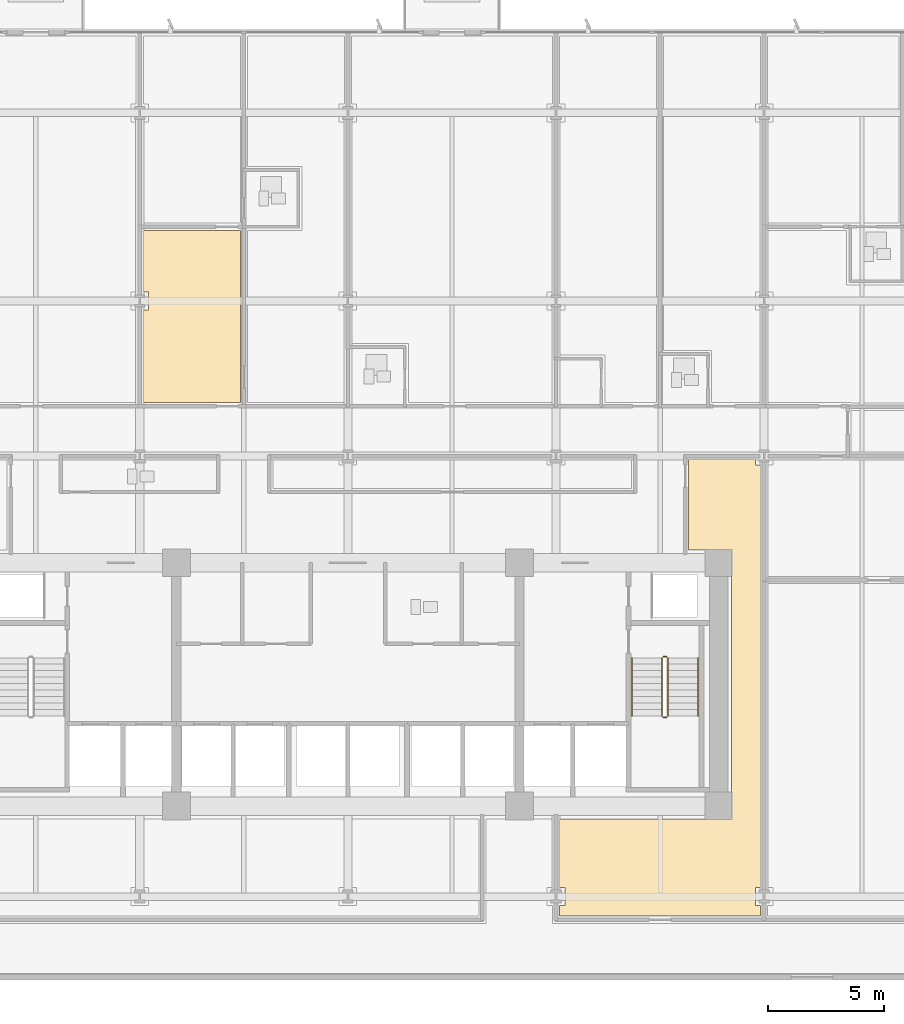
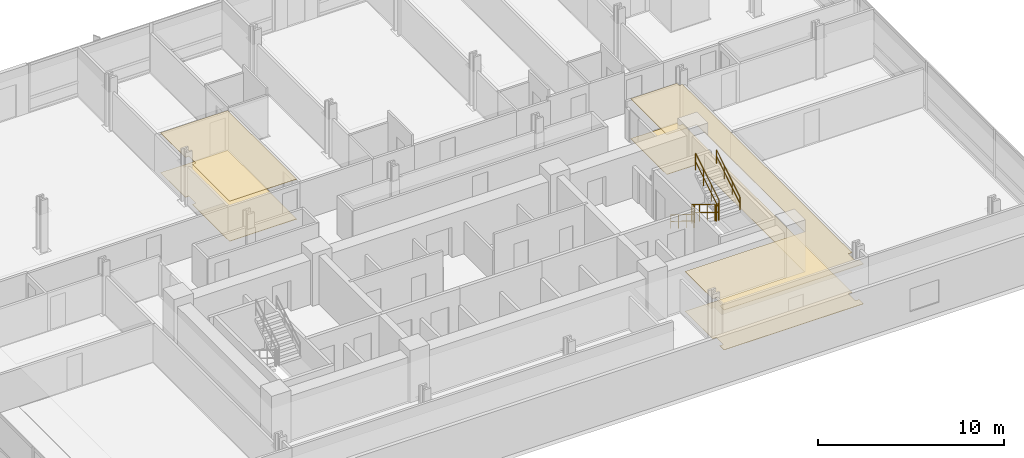
# One storey, part 14 of 17: 6 railings, 4 coverings.
"""IFC4 building model written with IfcOpenShell, lengths in metres."""

from ifc_helpers import new_model, si_unit, direction, frame, origin, origin_2d, place, context, subcontext, project, spatial, polyline, circle, outline, extrude, material, layer, layer_set, type_object, element, save


model = new_model("IFC4")

# Units and contexts
model_context = context("Model", 3, precision=1e-05, world=origin(), true_north=direction((0.0, 1.0)))
body_context = subcontext(model_context, "Body", "Model", "MODEL_VIEW")
ifc_project = project(units=[si_unit("LENGTHUNIT", "METRE"), si_unit("AREAUNIT", "SQUARE_METRE"), si_unit("VOLUMEUNIT", "CUBIC_METRE"), si_unit("PLANEANGLEUNIT", "RADIAN"), si_unit("MASSUNIT", "GRAM", prefix="KILO")], contexts=[model_context])

# Site, building, storey
site_placement = place(None, origin())
site = spatial("IfcSite", under=ifc_project, at=site_placement, CompositionType="ELEMENT")
building_placement = place(site_placement, origin())
building = spatial("IfcBuilding", under=site, at=building_placement, Name="Solmavex Isthmus Hotel", CompositionType="ELEMENT")
storey_placement = place(building_placement, frame((0.0, 0.0, 47.10009765625)))
storey = spatial("IfcBuildingStorey", under=building, at=storey_placement, Name="L12", CompositionType="ELEMENT", Elevation=47.10009765625)

# Coverings
ifc_material_1 = material(Name="Gypsum plasterboard lining", Category="gypsum")
ifc_layer_1 = layer(ifc_material_1, 0.030029296875)
ifc_layer_set_1 = layer_set([ifc_layer_1], Name="Gypsum plasterboard lining")
covering_type_1 = type_object("IfcCoveringType", Name="COV-CEIL-GYP", PredefinedType="CEILING", material=ifc_layer_set_1)
covering_1_placement = place(storey_placement, frame((0.0, 0.0, 2.619873046875)))
element("IfcCovering", 1, at=covering_1_placement, inside=storey, type_object=covering_type_1, Name="Suspended Acoustic Ceiling L12-SL02-FY", PredefinedType="CEILING", context=body_context, shape_type="SweptSolid", body=[
    extrude(outline(polyline([(-8.821044921875, 9.16796875), (-8.595947265625, 9.16796875), (-8.595947265625, 8.407958984375), (-8.821044921875, 8.407958984375), (-8.821044921875, 4.405029296875), (-4.64306640625, 4.405029296875), (-4.64306640625, 11.8330078125), (-8.821044921875, 11.8330078125), (-8.821044921875, 9.16796875)])), origin(), (0.0, 0.0, 1.0), 0.030029296875),
])
covering_2_placement = place(storey_placement, frame((0.0, 0.0, 2.619873046875)))
element("IfcCovering", 2, at=covering_2_placement, inside=storey, type_object=covering_type_1, Name="Suspended Acoustic Ceiling L12-FL13", PredefinedType="CEILING", context=body_context, shape_type="SweptSolid", body=[
    extrude(outline(polyline([(17.797119140625, 1.719970703125), (17.572021484375, 1.719970703125), (17.572021484375, 1.945068359375), (14.698974609375, 1.945068359375), (14.698974609375, -1.945068359375), (16.554931640625, -1.945068359375), (16.554931640625, -13.554931640625), (9.131103515625, -13.554931640625), (9.131103515625, -16.52001953125), (9.35595703125, -16.52001953125), (9.35595703125, -17.280029296875), (9.131103515625, -17.280029296875), (9.131103515625, -17.7451171875), (17.797119140625, -17.7451171875), (17.797119140625, -17.280029296875), (17.572021484375, -17.280029296875), (17.572021484375, -16.52001953125), (17.797119140625, -16.52001953125), (17.797119140625, 1.719970703125)])), origin(), (0.0, 0.0, 1.0), 0.030029296875),
])
ifc_material_2 = material(Name="Travertine natural stone", Category="masonry")
ifc_layer_2 = layer(ifc_material_2, 0.02490234375)
ifc_layer_set_2 = layer_set([ifc_layer_2], Name="Travertine natural stone")
covering_type_2 = type_object("IfcCoveringType", Name="COV-FLOR-STN", PredefinedType="FLOORING", material=ifc_layer_set_2)
covering_3_placement = place(storey_placement, origin())
element("IfcCovering", 3, at=covering_3_placement, inside=storey, type_object=covering_type_2, Name="Stone and Timber Floor Finish L12-SL02-FY", PredefinedType="FLOORING", context=body_context, shape_type="SweptSolid", body=[
    extrude(outline(polyline([(-8.821044921875, 9.16796875), (-8.595947265625, 9.16796875), (-8.595947265625, 8.407958984375), (-8.821044921875, 8.407958984375), (-8.821044921875, 4.405029296875), (-4.64306640625, 4.405029296875), (-4.64306640625, 11.8330078125), (-8.821044921875, 11.8330078125), (-8.821044921875, 9.16796875)])), origin(), (0.0, 0.0, 1.0), 0.02490234375),
])
covering_4_placement = place(storey_placement, origin())
element("IfcCovering", 4, at=covering_4_placement, inside=storey, type_object=covering_type_2, Name="Stone and Timber Floor Finish L12-FL13", PredefinedType="FLOORING", context=body_context, shape_type="SweptSolid", body=[
    extrude(outline(polyline([(17.797119140625, 1.719970703125), (17.572021484375, 1.719970703125), (17.572021484375, 1.945068359375), (14.698974609375, 1.945068359375), (14.698974609375, -1.945068359375), (16.554931640625, -1.945068359375), (16.554931640625, -13.554931640625), (9.131103515625, -13.554931640625), (9.131103515625, -16.52001953125), (9.35595703125, -16.52001953125), (9.35595703125, -17.280029296875), (9.131103515625, -17.280029296875), (9.131103515625, -17.7451171875), (17.797119140625, -17.7451171875), (17.797119140625, -17.280029296875), (17.572021484375, -17.280029296875), (17.572021484375, -16.52001953125), (17.797119140625, -16.52001953125), (17.797119140625, 1.719970703125)])), origin(), (0.0, 0.0, 1.0), 0.02490234375),
])

# Railings
ifc_material_3 = material(Name="Stainless steel 316", Category="steel")
ifc_layer_3 = layer(ifc_material_3, 0.06005859375)
ifc_layer_set_3 = layer_set([ifc_layer_3], Name="Stainless steel 316")
railing_type_1 = type_object("IfcRailingType", Name="RAIL-STAIR-GD", PredefinedType="GUARDRAIL", material=ifc_layer_set_3)
railing_1_placement = place(storey_placement, frame((13.550048828125, -6.60009765625, 0.17236328125)))
element("IfcRailing", 5, at=railing_1_placement, inside=storey, type_object=railing_type_1, Name="L12 ST-2 stair guard 1", PredefinedType="GUARDRAIL", context=body_context, shape_type="SweptSolid", body=[
    extrude(circle(Radius=0.02392578125, at=origin_2d()), frame((0.0, 0.0, 1.09619140625), z_axis=(0.0, -0.851400495292, 0.524516154772), x_axis=(1.0, 0.0, 0.0)), (0.0, 0.0, 1.0), 2.9599609375),
    extrude(circle(Radius=0.02392578125, at=origin_2d()), frame((0.0, 0.0, 0.56005859375), z_axis=(0.0, -0.851400495292, 0.524516154772), x_axis=(1.0, 0.0, 0.0)), (0.0, 0.0, 1.0), 2.9599609375),
    extrude(circle(Radius=0.02099609375, at=origin_2d()), origin(), (0.0, 0.0, 1.0), 1.072021484375),
    extrude(circle(Radius=0.02099609375, at=origin_2d()), frame((0.0, -0.840087890625, 0.517578125)), (0.0, 0.0, 1.0), 1.072021484375),
    extrude(circle(Radius=0.02099609375, at=origin_2d()), frame((0.0, -1.679931640625, 1.034912109375)), (0.0, 0.0, 1.0), 1.072021484375),
    extrude(circle(Radius=0.02099609375, at=origin_2d()), frame((0.0, -2.52001953125, 1.552490234375)), (0.0, 0.0, 1.0), 1.072021484375),
])
railing_2_placement = place(storey_placement, frame((13.60009765625, -9.169921875, 1.724853515625)))
element("IfcRailing", 6, at=railing_2_placement, inside=storey, type_object=railing_type_1, Name="L12 ST-2 stair guard 2", PredefinedType="GUARDRAIL", context=body_context, shape_type="SweptSolid", body=[
    extrude(circle(Radius=0.02392578125, at=origin_2d()), frame((0.0, 0.0, 1.09619140625), z_axis=(1.0, 0.0, 0.0), x_axis=(0.0, 1.0, 0.0)), (0.0, 0.0, 1.0), 0.14990234375),
    extrude(circle(Radius=0.02392578125, at=origin_2d()), frame((0.0, 0.0, 0.56005859375), z_axis=(1.0, 0.0, 0.0), x_axis=(0.0, 1.0, 0.0)), (0.0, 0.0, 1.0), 0.14990234375),
    extrude(circle(Radius=0.02099609375, at=origin_2d()), origin(), (0.0, 0.0, 1.0), 1.072021484375),
    extrude(circle(Radius=0.02099609375, at=origin_2d()), frame((0.14990234375, 0.0, 0.0)), (0.0, 0.0, 1.0), 1.072021484375),
])
railing_3_placement = place(storey_placement, frame((13.800048828125, -9.1201171875, 1.8974609375)))
element("IfcRailing", 7, at=railing_3_placement, inside=storey, type_object=railing_type_1, Name="L12 ST-2 stair guard 3", PredefinedType="GUARDRAIL", context=body_context, shape_type="SweptSolid", body=[
    extrude(circle(Radius=0.02392578125, at=origin_2d()), frame((0.0, 0.0, 1.09619140625), z_axis=(0.0, 0.851400495292, 0.524516154772), x_axis=(-1.0, 0.0, 0.0)), (0.0, 0.0, 1.0), 2.9599609375),
    extrude(circle(Radius=0.02392578125, at=origin_2d()), frame((0.0, 0.0, 0.56005859375), z_axis=(0.0, 0.851400495292, 0.524516154772), x_axis=(-1.0, 0.0, 0.0)), (0.0, 0.0, 1.0), 2.9599609375),
    extrude(circle(Radius=0.02099609375, at=origin_2d()), origin(), (0.0, 0.0, 1.0), 1.072021484375),
    extrude(circle(Radius=0.02099609375, at=origin_2d()), frame((0.0, 0.840087890625, 0.517578125)), (0.0, 0.0, 1.0), 1.072021484375),
    extrude(circle(Radius=0.02099609375, at=origin_2d()), frame((0.0, 1.679931640625, 1.034912109375)), (0.0, 0.0, 1.0), 1.072021484375),
    extrude(circle(Radius=0.02099609375, at=origin_2d()), frame((0.0, 2.52001953125, 1.552490234375)), (0.0, 0.0, 1.0), 1.072021484375),
])
railing_4_placement = place(storey_placement, frame((13.60009765625, -6.550048828125, 0.0)))
element("IfcRailing", 8, at=railing_4_placement, inside=storey, type_object=railing_type_1, Name="L12 ST-2 stair guard 4", PredefinedType="GUARDRAIL", context=body_context, shape_type="SweptSolid", body=[
    extrude(circle(Radius=0.02392578125, at=origin_2d()), frame((0.0, 0.0, 1.09619140625), z_axis=(1.0, 0.0, 0.0), x_axis=(0.0, 1.0, 0.0)), (0.0, 0.0, 1.0), 0.14990234375),
    extrude(circle(Radius=0.02392578125, at=origin_2d()), frame((0.0, 0.0, 0.56005859375), z_axis=(1.0, 0.0, 0.0), x_axis=(0.0, 1.0, 0.0)), (0.0, 0.0, 1.0), 0.14990234375),
    extrude(circle(Radius=0.02099609375, at=origin_2d()), origin(), (0.0, 0.0, 1.0), 1.072021484375),
    extrude(circle(Radius=0.02099609375, at=origin_2d()), frame((0.14990234375, 0.0, 0.0)), (0.0, 0.0, 1.0), 1.072021484375),
])
ifc_layer_4 = layer(ifc_material_3, 0.050048828125)
ifc_layer_set_4 = layer_set([ifc_layer_4], Name="Stainless steel 316")
railing_type_2 = type_object("IfcRailingType", Name="RAIL-STAIR-HR", PredefinedType="HANDRAIL", material=ifc_layer_set_4)
railing_5_placement = place(storey_placement, frame((12.25, -6.60009765625, 0.17236328125)))
element("IfcRailing", 9, at=railing_5_placement, inside=storey, type_object=railing_type_2, Name="L12 ST-2 stair handrail 1", PredefinedType="HANDRAIL", context=body_context, shape_type="SweptSolid", body=[
    extrude(circle(Radius=0.02392578125, at=origin_2d()), frame((0.0, 0.0, 0.8759765625), z_axis=(0.0, -0.851400495292, 0.524516154772), x_axis=(1.0, 0.0, 0.0)), (0.0, 0.0, 1.0), 2.9599609375),
    extrude(circle(Radius=0.02392578125, at=origin_2d()), frame((0.0, 0.0, 0.449951171875), z_axis=(0.0, -0.851400495292, 0.524516154772), x_axis=(1.0, 0.0, 0.0)), (0.0, 0.0, 1.0), 2.9599609375),
    extrude(circle(Radius=0.02099609375, at=origin_2d()), origin(), (0.0, 0.0, 1.0), 0.851806640625),
    extrude(circle(Radius=0.02099609375, at=origin_2d()), frame((0.0, -0.840087890625, 0.517578125)), (0.0, 0.0, 1.0), 0.851806640625),
    extrude(circle(Radius=0.02099609375, at=origin_2d()), frame((0.0, -1.679931640625, 1.034912109375)), (0.0, 0.0, 1.0), 0.851806640625),
    extrude(circle(Radius=0.02099609375, at=origin_2d()), frame((0.0, -2.52001953125, 1.552490234375)), (0.0, 0.0, 1.0), 0.851806640625),
])
railing_6_placement = place(storey_placement, frame((15.10009765625, -9.1201171875, 1.8974609375)))
element("IfcRailing", 10, at=railing_6_placement, inside=storey, type_object=railing_type_2, Name="L12 ST-2 stair handrail 2", PredefinedType="HANDRAIL", context=body_context, shape_type="SweptSolid", body=[
    extrude(circle(Radius=0.02392578125, at=origin_2d()), frame((0.0, 0.0, 0.8759765625), z_axis=(0.0, 0.851400495292, 0.524516154772), x_axis=(-1.0, 0.0, 0.0)), (0.0, 0.0, 1.0), 2.9599609375),
    extrude(circle(Radius=0.02392578125, at=origin_2d()), frame((0.0, 0.0, 0.449951171875), z_axis=(0.0, 0.851400495292, 0.524516154772), x_axis=(-1.0, 0.0, 0.0)), (0.0, 0.0, 1.0), 2.9599609375),
    extrude(circle(Radius=0.02099609375, at=origin_2d()), origin(), (0.0, 0.0, 1.0), 0.851806640625),
    extrude(circle(Radius=0.02099609375, at=origin_2d()), frame((0.0, 0.840087890625, 0.517578125)), (0.0, 0.0, 1.0), 0.851806640625),
    extrude(circle(Radius=0.02099609375, at=origin_2d()), frame((0.0, 1.679931640625, 1.034912109375)), (0.0, 0.0, 1.0), 0.851806640625),
    extrude(circle(Radius=0.02099609375, at=origin_2d()), frame((0.0, 2.52001953125, 1.552490234375)), (0.0, 0.0, 1.0), 0.851806640625),
])

save(model, "model.ifc")
